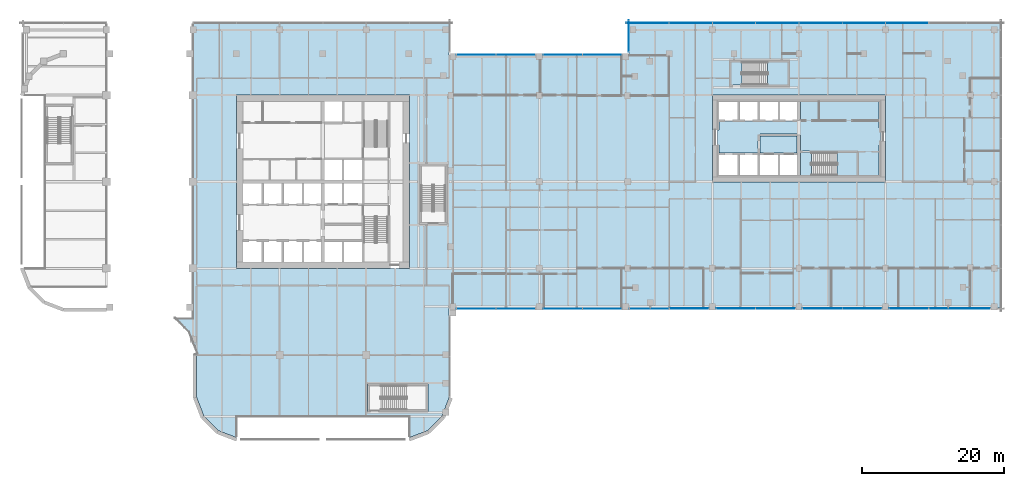
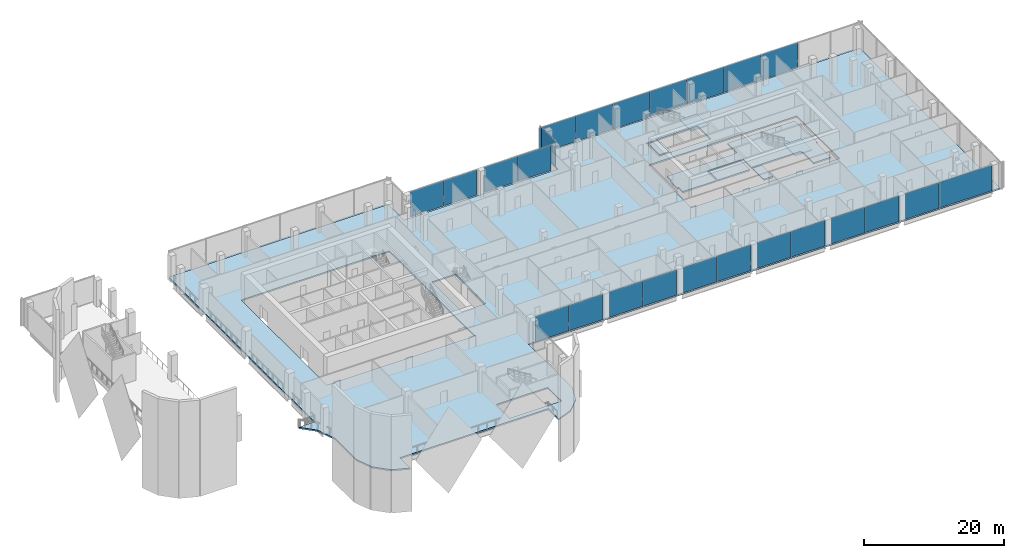
# One storey, part 20 of 33: 24 plates, 7 slabs, 14 elements without a shape of their own.
"""IFC4 building model written with IfcOpenShell, lengths in metres."""

from ifc_helpers import new_model, si_unit, direction, frame, origin, origin_2d, place, context, subcontext, project, spatial, polyline, rectangle, outline, extrude, material, layer, layer_set, type_object, element, aggregate, save


model = new_model("IFC4")

# Units and contexts
model_context = context("Model", 3, precision=1e-05, world=origin(), true_north=direction((0.0, 1.0)))
body_context = subcontext(model_context, "Body", "Model", "MODEL_VIEW")
ifc_project = project(units=[si_unit("LENGTHUNIT", "METRE"), si_unit("AREAUNIT", "SQUARE_METRE"), si_unit("VOLUMEUNIT", "CUBIC_METRE"), si_unit("PLANEANGLEUNIT", "RADIAN"), si_unit("MASSUNIT", "GRAM", prefix="KILO")], contexts=[model_context])

# Site, building, storey
site_placement = place(None, origin())
site = spatial("IfcSite", under=ifc_project, at=site_placement, CompositionType="ELEMENT")
building_placement = place(site_placement, origin())
building = spatial("IfcBuilding", under=site, at=building_placement, Name="Tessera Gate Towers", CompositionType="ELEMENT")
storey_placement = place(building_placement, frame((0.0, 0.0, 7.199951171875)))
storey = spatial("IfcBuildingStorey", under=building, at=storey_placement, Name="L01", CompositionType="ELEMENT", Elevation=7.199951171875)

# Slabs
ifc_material_1 = material(Name="Concrete C35/45", Category="concrete")
ifc_layer_1 = layer(ifc_material_1, 0.25)
ifc_layer_set_1 = layer_set([ifc_layer_1], Name="COMPOSITE FLOOR 250")
slab_type_1 = type_object("IfcSlabType", Name="COMPOSITE FLOOR 250", PredefinedType="FLOOR", material=ifc_layer_set_1)
slab_1_placement = place(storey_placement, frame((0.0, 0.0, -0.25)))
element("IfcSlab", 1, at=slab_1_placement, inside=storey, type_object=slab_type_1, Name="PD-L01", PredefinedType="FLOOR", context=body_context, shape_type="SweptSolid", body=[
    extrude(outline(polyline([(21.7548828125, 17.300048828125), (23.730712890625, 15.32421875), (24.89990234375, 12.293212890625), (24.89990234375, 6.193115234375), (25.926025390625, 3.533203125), (27.93310546875, 1.526123046875), (30.5, 0.535888671875), (30.5, 3.5), (54.89990234375, 3.5), (54.89990234375, 0.535888671875), (57.466796875, 1.526123046875), (59.473876953125, 3.533203125), (60.5, 6.193115234375), (60.5, 18.800048828125), (138.199951171875, 18.800048828125), (138.199951171875, 58.89990234375), (85.89990234375, 58.89990234375), (85.89990234375, 54.39990234375), (60.5, 54.39990234375), (60.5, 58.89990234375), (24.39990234375, 58.89990234375), (24.39990234375, 17.300048828125), (21.7548828125, 17.300048828125)]), holes=[polyline([(30.5, 24.39990234375), (30.5, 48.800048828125), (54.89990234375, 48.800048828125), (54.89990234375, 24.39990234375), (30.5, 24.39990234375)]), polyline([(49.0, 4.199951171875), (49.0, 8.10009765625), (57.5, 8.10009765625), (57.5, 4.199951171875), (49.0, 4.199951171875)]), polyline([(56.300048828125, 30.60009765625), (56.300048828125, 39.10009765625), (60.199951171875, 39.10009765625), (60.199951171875, 30.60009765625), (56.300048828125, 30.60009765625)]), polyline([(97.60009765625, 36.60009765625), (97.60009765625, 48.800048828125), (122.0, 48.800048828125), (122.0, 36.60009765625), (97.60009765625, 36.60009765625)]), polyline([(100.0, 50.0), (100.0, 53.699951171875), (108.5, 53.699951171875), (108.5, 50.0), (100.0, 50.0)])]), origin(), (0.0, 0.0, 1.0), 0.25),
])
ifc_material_2 = material(Name="Concrete C35/45", Category="concrete")
ifc_layer_2 = layer(ifc_material_2, 0.25)
ifc_layer_set_2 = layer_set([ifc_layer_2], Name="CORE FLOOR SLAB 250")
slab_type_2 = type_object("IfcSlabType", Name="CORE FLOOR SLAB 250", PredefinedType="FLOOR", material=ifc_layer_set_2)
slab_2_placement = place(storey_placement, frame((0.0, 0.0, -0.25)))
element("IfcSlab", 2, at=slab_2_placement, inside=storey, type_object=slab_type_2, Name="L01 core floor slab", PredefinedType="FLOOR", context=body_context, shape_type="SweptSolid", body=[
    extrude(outline(polyline([(109.550048828125, 45.199951171875), (109.550048828125, 45.074951171875), (98.5, 45.074951171875), (98.5, 43.89990234375), (98.300048828125, 43.89990234375), (98.300048828125, 41.800048828125), (98.5, 41.800048828125), (98.5, 40.625), (104.02490234375, 40.625), (104.02490234375, 43.199951171875), (104.27490234375, 43.199951171875), (104.27490234375, 43.324951171875), (109.550048828125, 43.324951171875), (109.550048828125, 43.199951171875), (110.050048828125, 43.199951171875), (110.050048828125, 40.949951171875), (118.10009765625, 40.949951171875), (118.10009765625, 40.699951171875), (118.22509765625, 40.699951171875), (118.22509765625, 37.5), (121.10009765625, 37.5), (121.10009765625, 41.75), (121.300048828125, 41.75), (121.300048828125, 44.14990234375), (121.10009765625, 44.14990234375), (121.10009765625, 47.89990234375), (110.050048828125, 47.89990234375), (110.050048828125, 45.199951171875), (109.550048828125, 45.199951171875)])), origin(), (0.0, 0.0, 1.0), 0.25),
])
slab_3_placement = place(storey_placement, frame((0.0, 0.0, -0.25)))
element("IfcSlab", 3, at=slab_3_placement, inside=storey, type_object=slab_type_2, Name="L01 core floor slab", PredefinedType="FLOOR", context=body_context, shape_type="SweptSolid", body=[
    extrude(outline(polyline([(109.550048828125, 43.074951171875), (104.27490234375, 43.074951171875), (104.27490234375, 40.625), (109.550048828125, 40.625), (109.550048828125, 43.074951171875)])), origin(), (0.0, 0.0, 1.0), 0.25),
])
slab_4_placement = place(storey_placement, frame((0.0, 0.0, -0.25)))
element("IfcSlab", 4, at=slab_4_placement, inside=storey, type_object=slab_type_2, Name="L01 core floor slab", PredefinedType="FLOOR", context=body_context, shape_type="SweptSolid", body=[
    extrude(outline(polyline([(111.550048828125, 37.5), (111.550048828125, 40.699951171875), (110.050048828125, 40.699951171875), (110.050048828125, 37.5), (111.550048828125, 37.5)])), origin(), (0.0, 0.0, 1.0), 0.25),
])
slab_5_placement = place(storey_placement, frame((0.0, 0.0, -0.25)))
element("IfcSlab", 5, at=slab_5_placement, inside=storey, type_object=slab_type_2, Name="L01 ST7 floor landing", PredefinedType="FLOOR", context=body_context, shape_type="SweptSolid", body=[
    extrude(outline(polyline([(100.25, 50.25), (101.75, 50.25), (101.75, 53.449951171875), (100.25, 53.449951171875), (100.25, 50.25)])), origin(), (0.0, 0.0, 1.0), 0.25),
])

# Stair, slab
ifc_material_3 = material(Name="Concrete C40/50", Category="concrete")
stair_type_1 = type_object("IfcStairType", Name="EXIT STAIR ST6A 1500", PredefinedType="HALF_TURN_STAIR", material=ifc_material_3)
stair_1_placement = place(storey_placement, origin())
stair_1 = element("IfcStair", 6, at=stair_1_placement, inside=storey, type_object=stair_type_1, Name="L01 Protected Exit Stair ST6", PredefinedType="HALF_TURN_STAIR")
ifc_material_4 = material(Name="Concrete C40/50", Category="concrete")
ifc_layer_3 = layer(ifc_material_4, 0.199951171875)
ifc_layer_set_3 = layer_set([ifc_layer_3], Name="EXIT STAIR LANDING 200")
slab_type_3 = type_object("IfcSlabType", Name="EXIT STAIR LANDING 200", PredefinedType="LANDING", material=ifc_layer_set_3)
slab_6_placement = place(storey_placement, frame((0.0, 0.0, 2.199951171875)))
slab_6 = element("IfcSlab", 7, at=slab_6_placement, type_object=slab_type_3, Name="ST6 landing 1", PredefinedType="LANDING", context=body_context, shape_type="SweptSolid", body=[
    extrude(outline(polyline([(115.18994140625, 37.5), (117.97509765625, 37.5), (117.97509765625, 40.699951171875), (115.18994140625, 40.699951171875), (115.18994140625, 37.5)])), origin(), (0.0, 0.0, 1.0), 0.2001953125),
])
aggregate(stair_1, [slab_6])

ifc_material_5 = material(Name="Concrete C40/50", Category="concrete")
stair_type_2 = type_object("IfcStairType", Name="EXIT STAIR ST7A 1500", PredefinedType="HALF_TURN_STAIR", material=ifc_material_5)
stair_2_placement = place(storey_placement, origin())
stair_2 = element("IfcStair", 8, at=stair_2_placement, inside=storey, type_object=stair_type_2, Name="L01 North Exit Stair ST7", PredefinedType="HALF_TURN_STAIR")
slab_7_placement = place(storey_placement, frame((0.0, 0.0, 2.199951171875)))
slab_7 = element("IfcSlab", 9, at=slab_7_placement, type_object=slab_type_3, Name="ST7 landing 1", PredefinedType="LANDING", context=body_context, shape_type="SweptSolid", body=[
    extrude(outline(polyline([(105.389892578125, 50.25), (108.25, 50.25), (108.25, 53.449951171875), (105.389892578125, 53.449951171875), (105.389892578125, 50.25)])), origin(), (0.0, 0.0, 1.0), 0.2001953125),
])
aggregate(stair_2, [slab_7])

# Curtain wall, plate
ifc_material_6 = material(Name="Aluminium frame", Category="aluminium")
curtain_wall_type_1 = type_object("IfcCurtainWallType", Name="CW-S1 podium storefront", PredefinedType="NOTDEFINED", material=ifc_material_6)
curtain_wall_1_placement = place(storey_placement, origin())
curtain_wall_1 = element("IfcCurtainWall", 10, at=curtain_wall_1_placement, inside=storey, type_object=curtain_wall_type_1, Name="Curtain wall podium storefront 0161", PredefinedType="NOTDEFINED")
ifc_material_7 = material(Name="Low-e laminated glass", Category="glass")
ifc_layer_4 = layer(ifc_material_7, 0.028076171875)
ifc_layer_set_4 = layer_set([ifc_layer_4], Name="PN-S1 glass panel 28")
plate_type_1 = type_object("IfcPlateType", Name="PN-S1 glass panel 28", PredefinedType="CURTAIN_PANEL", material=ifc_layer_set_4)
plate_1_placement = place(storey_placement, frame((94.31005859375, 18.72509765625, 0.06005859375), z_axis=(0.0, 0.0, 1.0), x_axis=(1.0, 0.0, 0.0)))
plate_1 = element("IfcPlate", 11, at=plate_1_placement, type_object=plate_type_1, Name="PD-CW1-0161 panel 1.1", PredefinedType="CURTAIN_PANEL", context=body_context, shape_type="SweptSolid", body=[
    extrude(rectangle(XDim=5.5, YDim=0.028076171875, at=origin_2d()), origin(), (0.0, 0.0, 1.0), 4.429931640625),
])
aggregate(curtain_wall_1, [plate_1])

# Curtain wall, plates
curtain_wall_2_placement = place(storey_placement, origin())
curtain_wall_2 = element("IfcCurtainWall", 12, at=curtain_wall_2_placement, inside=storey, type_object=curtain_wall_type_1, Name="Curtain wall podium storefront 0162", PredefinedType="NOTDEFINED")
plate_2_placement = place(storey_placement, frame((100.905029296875, 18.72509765625, 0.06005859375), z_axis=(0.0, 0.0, 1.0), x_axis=(1.0, 0.0, 0.0)))
plate_2 = element("IfcPlate", 13, at=plate_2_placement, type_object=plate_type_1, Name="PD-CW1-0162 panel 1.1", PredefinedType="CURTAIN_PANEL", context=body_context, shape_type="SweptSolid", body=[
    extrude(rectangle(XDim=5.530029296875, YDim=0.028076171875, at=origin_2d()), origin(), (0.0, 0.0, 1.0), 4.429931640625),
])
plate_3_placement = place(storey_placement, frame((106.4951171875, 18.72509765625, 0.06005859375), z_axis=(0.0, 0.0, 1.0), x_axis=(1.0, 0.0, 0.0)))
plate_3 = element("IfcPlate", 14, at=plate_3_placement, type_object=plate_type_1, Name="PD-CW1-0162 panel 2.1", PredefinedType="CURTAIN_PANEL", context=body_context, shape_type="SweptSolid", body=[
    extrude(rectangle(XDim=5.530029296875, YDim=0.028076171875, at=origin_2d()), origin(), (0.0, 0.0, 1.0), 4.429931640625),
])
aggregate(curtain_wall_2, [plate_2, plate_3])

curtain_wall_3_placement = place(storey_placement, origin())
curtain_wall_3 = element("IfcCurtainWall", 15, at=curtain_wall_3_placement, inside=storey, type_object=curtain_wall_type_1, Name="Curtain wall podium storefront 0163", PredefinedType="NOTDEFINED")
plate_4_placement = place(storey_placement, frame((113.10498046875, 18.72509765625, 0.06005859375), z_axis=(0.0, 0.0, 1.0), x_axis=(1.0, 0.0, 0.0)))
plate_4 = element("IfcPlate", 16, at=plate_4_placement, type_object=plate_type_1, Name="PD-CW1-0163 panel 1.1", PredefinedType="CURTAIN_PANEL", context=body_context, shape_type="SweptSolid", body=[
    extrude(rectangle(XDim=5.530029296875, YDim=0.028076171875, at=origin_2d()), origin(), (0.0, 0.0, 1.0), 4.429931640625),
])
plate_5_placement = place(storey_placement, frame((118.695068359375, 18.72509765625, 0.06005859375), z_axis=(0.0, 0.0, 1.0), x_axis=(1.0, 0.0, 0.0)))
plate_5 = element("IfcPlate", 17, at=plate_5_placement, type_object=plate_type_1, Name="PD-CW1-0163 panel 2.1", PredefinedType="CURTAIN_PANEL", context=body_context, shape_type="SweptSolid", body=[
    extrude(rectangle(XDim=5.530029296875, YDim=0.028076171875, at=origin_2d()), origin(), (0.0, 0.0, 1.0), 4.429931640625),
])
aggregate(curtain_wall_3, [plate_4, plate_5])

# Curtain wall, plate
curtain_wall_4_placement = place(storey_placement, origin())
curtain_wall_4 = element("IfcCurtainWall", 18, at=curtain_wall_4_placement, inside=storey, type_object=curtain_wall_type_1, Name="Curtain wall podium storefront 0164", PredefinedType="NOTDEFINED")
plate_6_placement = place(storey_placement, frame((125.2900390625, 18.72509765625, 0.06005859375), z_axis=(0.0, 0.0, 1.0), x_axis=(1.0, 0.0, 0.0)))
plate_6 = element("IfcPlate", 19, at=plate_6_placement, type_object=plate_type_1, Name="PD-CW1-0164 panel 1.1", PredefinedType="CURTAIN_PANEL", context=body_context, shape_type="SweptSolid", body=[
    extrude(rectangle(XDim=5.5, YDim=0.028076171875, at=origin_2d()), origin(), (0.0, 0.0, 1.0), 4.429931640625),
])
aggregate(curtain_wall_4, [plate_6])

curtain_wall_5_placement = place(storey_placement, origin())
curtain_wall_5 = element("IfcCurtainWall", 20, at=curtain_wall_5_placement, inside=storey, type_object=curtain_wall_type_1, Name="Curtain wall podium storefront 0171", PredefinedType="NOTDEFINED")
plate_7_placement = place(storey_placement, frame((132.4599609375, 18.72509765625, 0.06005859375), z_axis=(0.0, 0.0, 1.0), x_axis=(1.0, 0.0, 0.0)))
plate_7 = element("IfcPlate", 21, at=plate_7_placement, type_object=plate_type_1, Name="PD-CW1-0171 panel 1.1", PredefinedType="CURTAIN_PANEL", context=body_context, shape_type="SweptSolid", body=[
    extrude(rectangle(XDim=8.60009765625, YDim=0.028076171875, at=origin_2d()), origin(), (0.0, 0.0, 1.0), 4.429931640625),
])
aggregate(curtain_wall_5, [plate_7])

# Curtain wall, plates
curtain_wall_6_placement = place(storey_placement, origin())
curtain_wall_6 = element("IfcCurtainWall", 22, at=curtain_wall_6_placement, inside=storey, type_object=curtain_wall_type_1, Name="Curtain wall podium storefront 0192", PredefinedType="NOTDEFINED")
plate_8_placement = place(storey_placement, frame((125.034912109375, 58.97509765625, 0.06005859375), z_axis=(0.0, 0.0, 1.0), x_axis=(-1.0, 0.0, 0.0)))
plate_8 = element("IfcPlate", 23, at=plate_8_placement, type_object=plate_type_1, Name="PD-CW1-0192 panel 1.1", PredefinedType="CURTAIN_PANEL", context=body_context, shape_type="SweptSolid", body=[
    extrude(rectangle(XDim=6.010009765625, YDim=0.028076171875, at=origin_2d()), origin(), (0.0, 0.0, 1.0), 4.429931640625),
])
plate_9_placement = place(storey_placement, frame((118.949951171875, 58.97509765625, 0.06005859375), z_axis=(0.0, 0.0, 1.0), x_axis=(-1.0, 0.0, 0.0)))
plate_9 = element("IfcPlate", 24, at=plate_9_placement, type_object=plate_type_1, Name="PD-CW1-0192 panel 2.1", PredefinedType="CURTAIN_PANEL", context=body_context, shape_type="SweptSolid", body=[
    extrude(rectangle(XDim=6.0400390625, YDim=0.028076171875, at=origin_2d()), origin(), (0.0, 0.0, 1.0), 4.429931640625),
])
plate_10_placement = place(storey_placement, frame((112.85009765625, 58.97509765625, 0.06005859375), z_axis=(0.0, 0.0, 1.0), x_axis=(-1.0, 0.0, 0.0)))
plate_10 = element("IfcPlate", 25, at=plate_10_placement, type_object=plate_type_1, Name="PD-CW1-0192 panel 3.1", PredefinedType="CURTAIN_PANEL", context=body_context, shape_type="SweptSolid", body=[
    extrude(rectangle(XDim=6.0400390625, YDim=0.028076171875, at=origin_2d()), origin(), (0.0, 0.0, 1.0), 4.429931640625),
])
plate_11_placement = place(storey_placement, frame((106.75, 58.97509765625, 0.06005859375), z_axis=(0.0, 0.0, 1.0), x_axis=(-1.0, 0.0, 0.0)))
plate_11 = element("IfcPlate", 26, at=plate_11_placement, type_object=plate_type_1, Name="PD-CW1-0192 panel 4.1", PredefinedType="CURTAIN_PANEL", context=body_context, shape_type="SweptSolid", body=[
    extrude(rectangle(XDim=6.0400390625, YDim=0.028076171875, at=origin_2d()), origin(), (0.0, 0.0, 1.0), 4.429931640625),
])
plate_12_placement = place(storey_placement, frame((100.64990234375, 58.97509765625, 0.06005859375), z_axis=(0.0, 0.0, 1.0), x_axis=(-1.0, 0.0, 0.0)))
plate_12 = element("IfcPlate", 27, at=plate_12_placement, type_object=plate_type_1, Name="PD-CW1-0192 panel 5.1", PredefinedType="CURTAIN_PANEL", context=body_context, shape_type="SweptSolid", body=[
    extrude(rectangle(XDim=6.0400390625, YDim=0.028076171875, at=origin_2d()), origin(), (0.0, 0.0, 1.0), 4.429931640625),
])
plate_13_placement = place(storey_placement, frame((94.550048828125, 58.97509765625, 0.06005859375), z_axis=(0.0, 0.0, 1.0), x_axis=(-1.0, 0.0, 0.0)))
plate_13 = element("IfcPlate", 28, at=plate_13_placement, type_object=plate_type_1, Name="PD-CW1-0192 panel 6.1", PredefinedType="CURTAIN_PANEL", context=body_context, shape_type="SweptSolid", body=[
    extrude(rectangle(XDim=6.0400390625, YDim=0.028076171875, at=origin_2d()), origin(), (0.0, 0.0, 1.0), 4.429931640625),
])
plate_14_placement = place(storey_placement, frame((88.465087890625, 58.97509765625, 0.06005859375), z_axis=(0.0, 0.0, 1.0), x_axis=(-1.0, 0.0, 0.0)))
plate_14 = element("IfcPlate", 29, at=plate_14_placement, type_object=plate_type_1, Name="PD-CW1-0192 panel 7.1", PredefinedType="CURTAIN_PANEL", context=body_context, shape_type="SweptSolid", body=[
    extrude(rectangle(XDim=6.010009765625, YDim=0.028076171875, at=origin_2d()), origin(), (0.0, 0.0, 1.0), 4.429931640625),
])
aggregate(curtain_wall_6, [plate_8, plate_9, plate_10, plate_11, plate_12, plate_13, plate_14])

# Curtain wall, plate
curtain_wall_7_placement = place(storey_placement, origin())
curtain_wall_7 = element("IfcCurtainWall", 30, at=curtain_wall_7_placement, inside=storey, type_object=curtain_wall_type_1, Name="Curtain wall podium storefront 0195", PredefinedType="NOTDEFINED")
plate_15_placement = place(storey_placement, frame((85.824951171875, 57.14990234375, 0.06005859375), z_axis=(0.0, 0.0, 1.0), x_axis=(0.0, -1.0, 0.0)))
plate_15 = element("IfcPlate", 31, at=plate_15_placement, type_object=plate_type_1, Name="PD-CW1-0195 panel 1.1", PredefinedType="CURTAIN_PANEL", context=body_context, shape_type="SweptSolid", body=[
    extrude(rectangle(XDim=4.3798828125, YDim=0.028076171875, at=origin_2d()), origin(), (0.0, 0.0, 1.0), 4.429931640625),
])
aggregate(curtain_wall_7, [plate_15])

# Curtain wall, plates
ifc_material_8 = material(Name="Aluminium frame", Category="aluminium")
curtain_wall_type_2 = type_object("IfcCurtainWallType", Name="CW-S2 galleria glazing", PredefinedType="NOTDEFINED", material=ifc_material_8)
curtain_wall_8_placement = place(storey_placement, origin())
curtain_wall_8 = element("IfcCurtainWall", 32, at=curtain_wall_8_placement, inside=storey, type_object=curtain_wall_type_2, Name="Curtain wall galleria glazing 0150", PredefinedType="NOTDEFINED")
ifc_material_9 = material(Name="Low-e laminated glass", Category="glass")
ifc_layer_5 = layer(ifc_material_9, 0.031982421875)
ifc_layer_set_5 = layer_set([ifc_layer_5], Name="PN-S2 glass panel 32")
plate_type_2 = type_object("IfcPlateType", Name="PN-S2 glass panel 32", PredefinedType="CURTAIN_PANEL", material=ifc_layer_set_5)
plate_16_placement = place(storey_placement, frame((64.31494140625, 18.699951171875, 0.080078125), z_axis=(0.0, 0.0, 1.0), x_axis=(1.0, 0.0, 0.0)))
plate_16 = element("IfcPlate", 33, at=plate_16_placement, type_object=plate_type_2, Name="PD-CW2-0150 panel 1.1", PredefinedType="CURTAIN_PANEL", context=body_context, shape_type="SweptSolid", body=[
    extrude(rectangle(XDim=5.489990234375, YDim=0.031982421875, at=origin_2d()), origin(), (0.0, 0.0, 1.0), 4.389892578125),
])
plate_17_placement = place(storey_placement, frame((69.885009765625, 18.699951171875, 0.080078125), z_axis=(0.0, 0.0, 1.0), x_axis=(1.0, 0.0, 0.0)))
plate_17 = element("IfcPlate", 34, at=plate_17_placement, type_object=plate_type_2, Name="PD-CW2-0150 panel 2.1", PredefinedType="CURTAIN_PANEL", context=body_context, shape_type="SweptSolid", body=[
    extrude(rectangle(XDim=5.489990234375, YDim=0.031982421875, at=origin_2d()), origin(), (0.0, 0.0, 1.0), 4.389892578125),
])
aggregate(curtain_wall_8, [plate_16, plate_17])

curtain_wall_9_placement = place(storey_placement, origin())
curtain_wall_9 = element("IfcCurtainWall", 35, at=curtain_wall_9_placement, inside=storey, type_object=curtain_wall_type_2, Name="Curtain wall galleria glazing 0151", PredefinedType="NOTDEFINED")
plate_18_placement = place(storey_placement, frame((76.514892578125, 18.699951171875, 0.080078125), z_axis=(0.0, 0.0, 1.0), x_axis=(1.0, 0.0, 0.0)))
plate_18 = element("IfcPlate", 36, at=plate_18_placement, type_object=plate_type_2, Name="PD-CW2-0151 panel 1.1", PredefinedType="CURTAIN_PANEL", context=body_context, shape_type="SweptSolid", body=[
    extrude(rectangle(XDim=5.489990234375, YDim=0.031982421875, at=origin_2d()), origin(), (0.0, 0.0, 1.0), 4.389892578125),
])
plate_19_placement = place(storey_placement, frame((82.0849609375, 18.699951171875, 0.080078125), z_axis=(0.0, 0.0, 1.0), x_axis=(1.0, 0.0, 0.0)))
plate_19 = element("IfcPlate", 37, at=plate_19_placement, type_object=plate_type_2, Name="PD-CW2-0151 panel 2.1", PredefinedType="CURTAIN_PANEL", context=body_context, shape_type="SweptSolid", body=[
    extrude(rectangle(XDim=5.489990234375, YDim=0.031982421875, at=origin_2d()), origin(), (0.0, 0.0, 1.0), 4.389892578125),
])
aggregate(curtain_wall_9, [plate_18, plate_19])

# Curtain wall, plate
curtain_wall_10_placement = place(storey_placement, origin())
curtain_wall_10 = element("IfcCurtainWall", 38, at=curtain_wall_10_placement, inside=storey, type_object=curtain_wall_type_2, Name="Curtain wall galleria glazing 0152", PredefinedType="NOTDEFINED")
plate_20_placement = place(storey_placement, frame((88.695068359375, 18.699951171875, 0.080078125), z_axis=(0.0, 0.0, 1.0), x_axis=(1.0, 0.0, 0.0)))
plate_20 = element("IfcPlate", 39, at=plate_20_placement, type_object=plate_type_2, Name="PD-CW2-0152 panel 1.1", PredefinedType="CURTAIN_PANEL", context=body_context, shape_type="SweptSolid", body=[
    extrude(rectangle(XDim=5.449951171875, YDim=0.031982421875, at=origin_2d()), origin(), (0.0, 0.0, 1.0), 4.389892578125),
])
aggregate(curtain_wall_10, [plate_20])

# Curtain wall, plates
curtain_wall_11_placement = place(storey_placement, origin())
curtain_wall_11 = element("IfcCurtainWall", 40, at=curtain_wall_11_placement, inside=storey, type_object=curtain_wall_type_2, Name="Curtain wall galleria glazing 0197", PredefinedType="NOTDEFINED")
plate_21_placement = place(storey_placement, frame((82.0849609375, 54.5, 0.080078125), z_axis=(0.0, 0.0, 1.0), x_axis=(-1.0, 0.0, 0.0)))
plate_21 = element("IfcPlate", 41, at=plate_21_placement, type_object=plate_type_2, Name="PD-CW2-0197 panel 1.1", PredefinedType="CURTAIN_PANEL", context=body_context, shape_type="SweptSolid", body=[
    extrude(rectangle(XDim=5.489990234375, YDim=0.031982421875, at=origin_2d()), origin(), (0.0, 0.0, 1.0), 4.389892578125),
])
plate_22_placement = place(storey_placement, frame((76.514892578125, 54.5, 0.080078125), z_axis=(0.0, 0.0, 1.0), x_axis=(-1.0, 0.0, 0.0)))
plate_22 = element("IfcPlate", 42, at=plate_22_placement, type_object=plate_type_2, Name="PD-CW2-0197 panel 2.1", PredefinedType="CURTAIN_PANEL", context=body_context, shape_type="SweptSolid", body=[
    extrude(rectangle(XDim=5.489990234375, YDim=0.031982421875, at=origin_2d()), origin(), (0.0, 0.0, 1.0), 4.389892578125),
])
aggregate(curtain_wall_11, [plate_21, plate_22])

curtain_wall_12_placement = place(storey_placement, origin())
curtain_wall_12 = element("IfcCurtainWall", 43, at=curtain_wall_12_placement, inside=storey, type_object=curtain_wall_type_2, Name="Curtain wall galleria glazing 0198", PredefinedType="NOTDEFINED")
plate_23_placement = place(storey_placement, frame((69.885009765625, 54.5, 0.080078125), z_axis=(0.0, 0.0, 1.0), x_axis=(-1.0, 0.0, 0.0)))
plate_23 = element("IfcPlate", 44, at=plate_23_placement, type_object=plate_type_2, Name="PD-CW2-0198 panel 1.1", PredefinedType="CURTAIN_PANEL", context=body_context, shape_type="SweptSolid", body=[
    extrude(rectangle(XDim=5.489990234375, YDim=0.031982421875, at=origin_2d()), origin(), (0.0, 0.0, 1.0), 4.389892578125),
])
plate_24_placement = place(storey_placement, frame((64.31494140625, 54.5, 0.080078125), z_axis=(0.0, 0.0, 1.0), x_axis=(-1.0, 0.0, 0.0)))
plate_24 = element("IfcPlate", 45, at=plate_24_placement, type_object=plate_type_2, Name="PD-CW2-0198 panel 2.1", PredefinedType="CURTAIN_PANEL", context=body_context, shape_type="SweptSolid", body=[
    extrude(rectangle(XDim=5.489990234375, YDim=0.031982421875, at=origin_2d()), origin(), (0.0, 0.0, 1.0), 4.389892578125),
])
aggregate(curtain_wall_12, [plate_23, plate_24])

save(model, "model.ifc")
